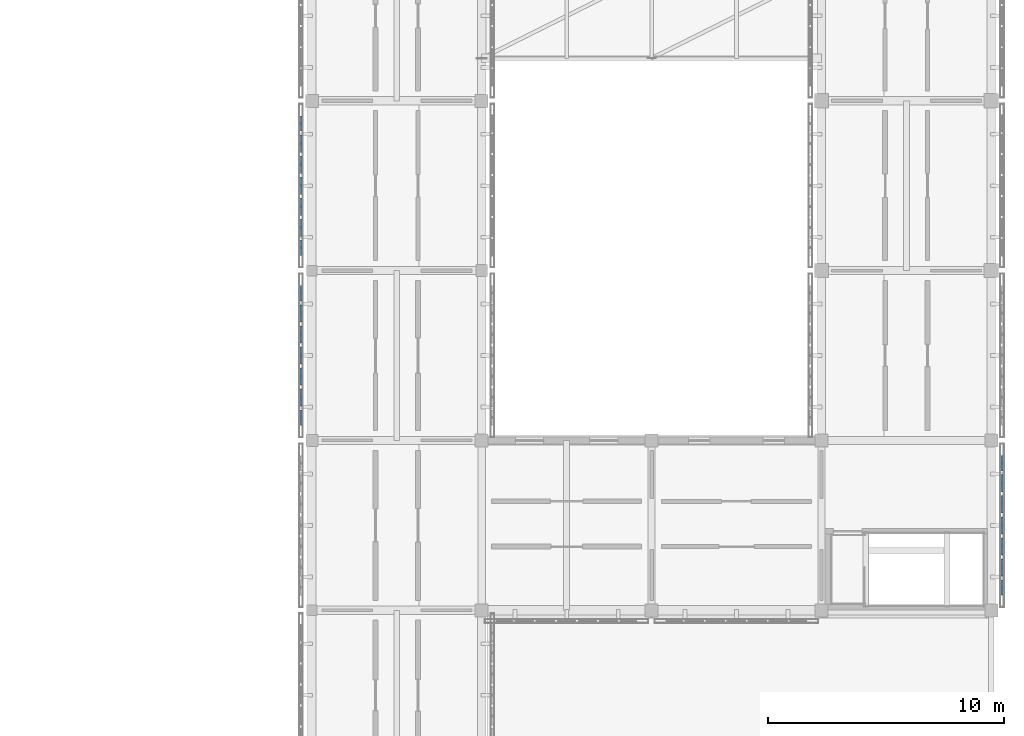
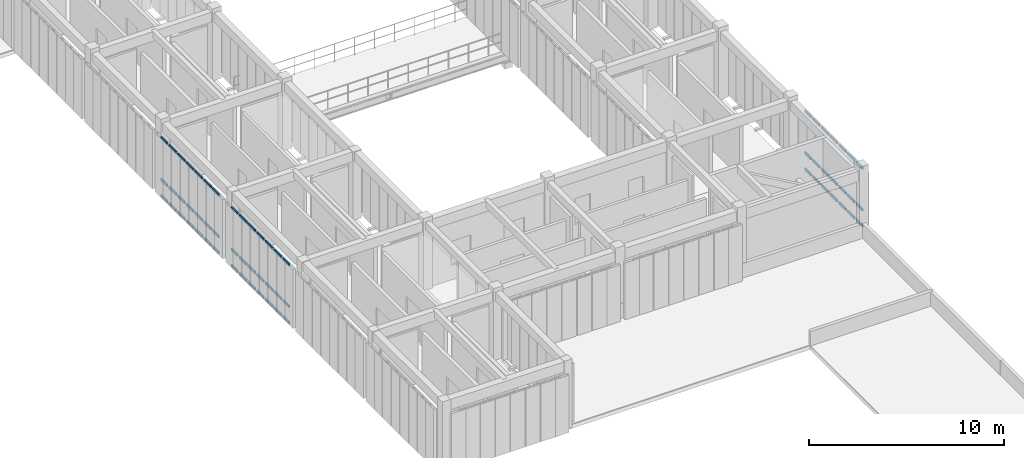
# One storey, part 34 of 91: 63 members, 3 elements without a shape of their own.
"""IFC4 building model written with IfcOpenShell, lengths in metres."""

from ifc_helpers import new_model, si_unit, direction, frame, origin, origin_2d, place, context, subcontext, project, spatial, hollow_rectangle, extrude, material, material_profile, profile_set, type_object, element, aggregate, save


model = new_model("IFC4")

# Units and contexts
model_context = context("Model", 3, precision=1e-05, world=origin(), true_north=direction((0.0, 1.0)))
body_context = subcontext(model_context, "Body", "Model", "MODEL_VIEW")
ifc_project = project(units=[si_unit("LENGTHUNIT", "METRE"), si_unit("AREAUNIT", "SQUARE_METRE"), si_unit("VOLUMEUNIT", "CUBIC_METRE"), si_unit("PLANEANGLEUNIT", "RADIAN"), si_unit("MASSUNIT", "GRAM", prefix="KILO")], contexts=[model_context])

# Site, building, storey
site_placement = place(None, origin())
site = spatial("IfcSite", under=ifc_project, at=site_placement, CompositionType="ELEMENT")
building_placement = place(site_placement, origin())
building = spatial("IfcBuilding", under=site, at=building_placement, Name="Aldebral Square Health Centre", CompositionType="ELEMENT")
storey_placement = place(building_placement, frame((0.0, 0.0, 9.0)))
storey = spatial("IfcBuildingStorey", under=building, at=storey_placement, Name="L02", CompositionType="ELEMENT", Elevation=9.0)

# Curtain wall, members
ifc_material_1 = material(Name="Aluminium and low-E solar glass", Category="aluminium")
curtain_wall_type = type_object("IfcCurtainWallType", Name="CW-FIN-SYS", PredefinedType="USERDEFINED", material=ifc_material_1)
curtain_wall_1_placement = place(storey_placement, origin())
curtain_wall_1 = element("IfcCurtainWall", 1, at=curtain_wall_1_placement, inside=storey, type_object=curtain_wall_type, Name="L02 V5 finned curtain wall L02-V5-19-09-W", ObjectType="SOLAR_CURTAIN_WALL", PredefinedType="USERDEFINED")
ifc_material_2 = material(Name="Anodised aluminium transom", Category="aluminium")
ifc_material_profile = material_profile(ifc_material_2, hollow_rectangle(XDim=0.074951171875, YDim=0.14990234375, WallThickness=0.00390625, at=origin_2d()), Name="CWT 75x150x4")
ifc_profile_set = profile_set([ifc_material_profile], Name="Anodised aluminium transom")
member_type = type_object("IfcMemberType", Name="CWT-STD", PredefinedType="USERDEFINED", material=ifc_profile_set)
member_1_placement = place(storey_placement, frame((136.340087890625, 71.360107421875, 0.03759765625), z_axis=(0.0, -1.0, 0.0), x_axis=(1.0, 0.0, 0.0)))
member_1 = element("IfcMember", 2, at=member_1_placement, type_object=member_type, Name="CW1 transom 1.1", ObjectType="TRANSOM", PredefinedType="USERDEFINED", context=body_context, shape_type="SweptSolid", body=[
    extrude(hollow_rectangle(XDim=0.074951171875, YDim=0.14990234375, WallThickness=0.00390625, at=origin_2d()), origin(), (0.0, 0.0, 1.0), 0.651611328125),
])
member_2_placement = place(storey_placement, frame((136.340087890625, 71.360107421875, 1.050048828125), z_axis=(0.0, -1.0, 0.0), x_axis=(1.0, 0.0, 0.0)))
member_2 = element("IfcMember", 3, at=member_2_placement, type_object=member_type, Name="CW1 transom 1.2", ObjectType="TRANSOM", PredefinedType="USERDEFINED", context=body_context, shape_type="SweptSolid", body=[
    extrude(hollow_rectangle(XDim=0.074951171875, YDim=0.14990234375, WallThickness=0.00390625, at=origin_2d()), origin(), (0.0, 0.0, 1.0), 0.651611328125),
])
member_3_placement = place(storey_placement, frame((136.340087890625, 71.360107421875, 3.652587890625), z_axis=(0.0, -1.0, 0.0), x_axis=(1.0, 0.0, 0.0)))
member_3 = element("IfcMember", 4, at=member_3_placement, type_object=member_type, Name="CW1 transom 1.3", ObjectType="TRANSOM", PredefinedType="USERDEFINED", context=body_context, shape_type="SweptSolid", body=[
    extrude(hollow_rectangle(XDim=0.074951171875, YDim=0.14990234375, WallThickness=0.00390625, at=origin_2d()), origin(), (0.0, 0.0, 1.0), 0.651611328125),
])
member_4_placement = place(storey_placement, frame((136.340087890625, 70.548583984375, 0.03759765625), z_axis=(0.0, -1.0, 0.0), x_axis=(1.0, 0.0, 0.0)))
member_4 = element("IfcMember", 5, at=member_4_placement, type_object=member_type, Name="CW1 transom 2.1", ObjectType="TRANSOM", PredefinedType="USERDEFINED", context=body_context, shape_type="SweptSolid", body=[
    extrude(hollow_rectangle(XDim=0.074951171875, YDim=0.14990234375, WallThickness=0.00390625, at=origin_2d()), origin(), (0.0, 0.0, 1.0), 0.7314453125),
])
member_5_placement = place(storey_placement, frame((136.340087890625, 70.548583984375, 1.050048828125), z_axis=(0.0, -1.0, 0.0), x_axis=(1.0, 0.0, 0.0)))
member_5 = element("IfcMember", 6, at=member_5_placement, type_object=member_type, Name="CW1 transom 2.2", ObjectType="TRANSOM", PredefinedType="USERDEFINED", context=body_context, shape_type="SweptSolid", body=[
    extrude(hollow_rectangle(XDim=0.074951171875, YDim=0.14990234375, WallThickness=0.00390625, at=origin_2d()), origin(), (0.0, 0.0, 1.0), 0.7314453125),
])
member_6_placement = place(storey_placement, frame((136.340087890625, 70.548583984375, 3.652587890625), z_axis=(0.0, -1.0, 0.0), x_axis=(1.0, 0.0, 0.0)))
member_6 = element("IfcMember", 7, at=member_6_placement, type_object=member_type, Name="CW1 transom 2.3", ObjectType="TRANSOM", PredefinedType="USERDEFINED", context=body_context, shape_type="SweptSolid", body=[
    extrude(hollow_rectangle(XDim=0.074951171875, YDim=0.14990234375, WallThickness=0.00390625, at=origin_2d()), origin(), (0.0, 0.0, 1.0), 0.7314453125),
])
member_7_placement = place(storey_placement, frame((136.340087890625, 69.6572265625, 0.03759765625), z_axis=(0.0, -1.0, 0.0), x_axis=(1.0, 0.0, 0.0)))
member_7 = element("IfcMember", 8, at=member_7_placement, type_object=member_type, Name="CW1 transom 3.1", ObjectType="TRANSOM", PredefinedType="USERDEFINED", context=body_context, shape_type="SweptSolid", body=[
    extrude(hollow_rectangle(XDim=0.074951171875, YDim=0.14990234375, WallThickness=0.00390625, at=origin_2d()), origin(), (0.0, 0.0, 1.0), 0.7314453125),
])
member_8_placement = place(storey_placement, frame((136.340087890625, 69.6572265625, 1.050048828125), z_axis=(0.0, -1.0, 0.0), x_axis=(1.0, 0.0, 0.0)))
member_8 = element("IfcMember", 9, at=member_8_placement, type_object=member_type, Name="CW1 transom 3.2", ObjectType="TRANSOM", PredefinedType="USERDEFINED", context=body_context, shape_type="SweptSolid", body=[
    extrude(hollow_rectangle(XDim=0.074951171875, YDim=0.14990234375, WallThickness=0.00390625, at=origin_2d()), origin(), (0.0, 0.0, 1.0), 0.7314453125),
])
member_9_placement = place(storey_placement, frame((136.340087890625, 69.6572265625, 3.652587890625), z_axis=(0.0, -1.0, 0.0), x_axis=(1.0, 0.0, 0.0)))
member_9 = element("IfcMember", 10, at=member_9_placement, type_object=member_type, Name="CW1 transom 3.3", ObjectType="TRANSOM", PredefinedType="USERDEFINED", context=body_context, shape_type="SweptSolid", body=[
    extrude(hollow_rectangle(XDim=0.074951171875, YDim=0.14990234375, WallThickness=0.00390625, at=origin_2d()), origin(), (0.0, 0.0, 1.0), 0.7314453125),
])
member_10_placement = place(storey_placement, frame((136.340087890625, 68.765625, 0.03759765625), z_axis=(0.0, -1.0, 0.0), x_axis=(1.0, 0.0, 0.0)))
member_10 = element("IfcMember", 11, at=member_10_placement, type_object=member_type, Name="CW1 transom 4.1", ObjectType="TRANSOM", PredefinedType="USERDEFINED", context=body_context, shape_type="SweptSolid", body=[
    extrude(hollow_rectangle(XDim=0.074951171875, YDim=0.14990234375, WallThickness=0.00390625, at=origin_2d()), origin(), (0.0, 0.0, 1.0), 0.7314453125),
])
member_11_placement = place(storey_placement, frame((136.340087890625, 68.765625, 1.050048828125), z_axis=(0.0, -1.0, 0.0), x_axis=(1.0, 0.0, 0.0)))
member_11 = element("IfcMember", 12, at=member_11_placement, type_object=member_type, Name="CW1 transom 4.2", ObjectType="TRANSOM", PredefinedType="USERDEFINED", context=body_context, shape_type="SweptSolid", body=[
    extrude(hollow_rectangle(XDim=0.074951171875, YDim=0.14990234375, WallThickness=0.00390625, at=origin_2d()), origin(), (0.0, 0.0, 1.0), 0.7314453125),
])
member_12_placement = place(storey_placement, frame((136.340087890625, 68.765625, 3.652587890625), z_axis=(0.0, -1.0, 0.0), x_axis=(1.0, 0.0, 0.0)))
member_12 = element("IfcMember", 13, at=member_12_placement, type_object=member_type, Name="CW1 transom 4.3", ObjectType="TRANSOM", PredefinedType="USERDEFINED", context=body_context, shape_type="SweptSolid", body=[
    extrude(hollow_rectangle(XDim=0.074951171875, YDim=0.14990234375, WallThickness=0.00390625, at=origin_2d()), origin(), (0.0, 0.0, 1.0), 0.7314453125),
])
member_13_placement = place(storey_placement, frame((136.340087890625, 67.874267578125, 0.03759765625), z_axis=(0.0, -1.0, 0.0), x_axis=(1.0, 0.0, 0.0)))
member_13 = element("IfcMember", 14, at=member_13_placement, type_object=member_type, Name="CW1 transom 5.1", ObjectType="TRANSOM", PredefinedType="USERDEFINED", context=body_context, shape_type="SweptSolid", body=[
    extrude(hollow_rectangle(XDim=0.074951171875, YDim=0.14990234375, WallThickness=0.00390625, at=origin_2d()), origin(), (0.0, 0.0, 1.0), 0.7314453125),
])
member_14_placement = place(storey_placement, frame((136.340087890625, 67.874267578125, 1.050048828125), z_axis=(0.0, -1.0, 0.0), x_axis=(1.0, 0.0, 0.0)))
member_14 = element("IfcMember", 15, at=member_14_placement, type_object=member_type, Name="CW1 transom 5.2", ObjectType="TRANSOM", PredefinedType="USERDEFINED", context=body_context, shape_type="SweptSolid", body=[
    extrude(hollow_rectangle(XDim=0.074951171875, YDim=0.14990234375, WallThickness=0.00390625, at=origin_2d()), origin(), (0.0, 0.0, 1.0), 0.7314453125),
])
member_15_placement = place(storey_placement, frame((136.340087890625, 67.874267578125, 3.652587890625), z_axis=(0.0, -1.0, 0.0), x_axis=(1.0, 0.0, 0.0)))
member_15 = element("IfcMember", 16, at=member_15_placement, type_object=member_type, Name="CW1 transom 5.3", ObjectType="TRANSOM", PredefinedType="USERDEFINED", context=body_context, shape_type="SweptSolid", body=[
    extrude(hollow_rectangle(XDim=0.074951171875, YDim=0.14990234375, WallThickness=0.00390625, at=origin_2d()), origin(), (0.0, 0.0, 1.0), 0.7314453125),
])
member_16_placement = place(storey_placement, frame((136.340087890625, 66.98291015625, 0.03759765625), z_axis=(0.0, -1.0, 0.0), x_axis=(1.0, 0.0, 0.0)))
member_16 = element("IfcMember", 17, at=member_16_placement, type_object=member_type, Name="CW1 transom 6.1", ObjectType="TRANSOM", PredefinedType="USERDEFINED", context=body_context, shape_type="SweptSolid", body=[
    extrude(hollow_rectangle(XDim=0.074951171875, YDim=0.14990234375, WallThickness=0.00390625, at=origin_2d()), origin(), (0.0, 0.0, 1.0), 0.7314453125),
])
member_17_placement = place(storey_placement, frame((136.340087890625, 66.98291015625, 1.050048828125), z_axis=(0.0, -1.0, 0.0), x_axis=(1.0, 0.0, 0.0)))
member_17 = element("IfcMember", 18, at=member_17_placement, type_object=member_type, Name="CW1 transom 6.2", ObjectType="TRANSOM", PredefinedType="USERDEFINED", context=body_context, shape_type="SweptSolid", body=[
    extrude(hollow_rectangle(XDim=0.074951171875, YDim=0.14990234375, WallThickness=0.00390625, at=origin_2d()), origin(), (0.0, 0.0, 1.0), 0.7314453125),
])
member_18_placement = place(storey_placement, frame((136.340087890625, 66.98291015625, 3.652587890625), z_axis=(0.0, -1.0, 0.0), x_axis=(1.0, 0.0, 0.0)))
member_18 = element("IfcMember", 19, at=member_18_placement, type_object=member_type, Name="CW1 transom 6.3", ObjectType="TRANSOM", PredefinedType="USERDEFINED", context=body_context, shape_type="SweptSolid", body=[
    extrude(hollow_rectangle(XDim=0.074951171875, YDim=0.14990234375, WallThickness=0.00390625, at=origin_2d()), origin(), (0.0, 0.0, 1.0), 0.7314453125),
])
member_19_placement = place(storey_placement, frame((136.340087890625, 66.09130859375, 0.03759765625), z_axis=(0.0, -1.0, 0.0), x_axis=(1.0, 0.0, 0.0)))
member_19 = element("IfcMember", 20, at=member_19_placement, type_object=member_type, Name="CW1 transom 7.1", ObjectType="TRANSOM", PredefinedType="USERDEFINED", context=body_context, shape_type="SweptSolid", body=[
    extrude(hollow_rectangle(XDim=0.074951171875, YDim=0.14990234375, WallThickness=0.00390625, at=origin_2d()), origin(), (0.0, 0.0, 1.0), 0.6513671875),
])
member_20_placement = place(storey_placement, frame((136.340087890625, 66.09130859375, 1.050048828125), z_axis=(0.0, -1.0, 0.0), x_axis=(1.0, 0.0, 0.0)))
member_20 = element("IfcMember", 21, at=member_20_placement, type_object=member_type, Name="CW1 transom 7.2", ObjectType="TRANSOM", PredefinedType="USERDEFINED", context=body_context, shape_type="SweptSolid", body=[
    extrude(hollow_rectangle(XDim=0.074951171875, YDim=0.14990234375, WallThickness=0.00390625, at=origin_2d()), origin(), (0.0, 0.0, 1.0), 0.6513671875),
])
member_21_placement = place(storey_placement, frame((136.340087890625, 66.09130859375, 3.652587890625), z_axis=(0.0, -1.0, 0.0), x_axis=(1.0, 0.0, 0.0)))
member_21 = element("IfcMember", 22, at=member_21_placement, type_object=member_type, Name="CW1 transom 7.3", ObjectType="TRANSOM", PredefinedType="USERDEFINED", context=body_context, shape_type="SweptSolid", body=[
    extrude(hollow_rectangle(XDim=0.074951171875, YDim=0.14990234375, WallThickness=0.00390625, at=origin_2d()), origin(), (0.0, 0.0, 1.0), 0.6513671875),
])
aggregate(curtain_wall_1, [member_1, member_2, member_3, member_4, member_5, member_6, member_7, member_8, member_9, member_10, member_11, member_12, member_13, member_14, member_15, member_16, member_17, member_18, member_19, member_20, member_21])

curtain_wall_2_placement = place(storey_placement, origin())
curtain_wall_2 = element("IfcCurtainWall", 23, at=curtain_wall_2_placement, inside=storey, type_object=curtain_wall_type, Name="L02 V5 finned curtain wall L02-V5-19-10-W", ObjectType="SOLAR_CURTAIN_WALL", PredefinedType="USERDEFINED")
member_22_placement = place(storey_placement, frame((136.340087890625, 78.56005859375, 0.03759765625), z_axis=(0.0, -1.0, 0.0), x_axis=(1.0, 0.0, 0.0)))
member_22 = element("IfcMember", 24, at=member_22_placement, type_object=member_type, Name="CW1 transom 1.1", ObjectType="TRANSOM", PredefinedType="USERDEFINED", context=body_context, shape_type="SweptSolid", body=[
    extrude(hollow_rectangle(XDim=0.074951171875, YDim=0.14990234375, WallThickness=0.00390625, at=origin_2d()), origin(), (0.0, 0.0, 1.0), 0.6513671875),
])
member_23_placement = place(storey_placement, frame((136.340087890625, 78.56005859375, 1.050048828125), z_axis=(0.0, -1.0, 0.0), x_axis=(1.0, 0.0, 0.0)))
member_23 = element("IfcMember", 25, at=member_23_placement, type_object=member_type, Name="CW1 transom 1.2", ObjectType="TRANSOM", PredefinedType="USERDEFINED", context=body_context, shape_type="SweptSolid", body=[
    extrude(hollow_rectangle(XDim=0.074951171875, YDim=0.14990234375, WallThickness=0.00390625, at=origin_2d()), origin(), (0.0, 0.0, 1.0), 0.6513671875),
])
member_24_placement = place(storey_placement, frame((136.340087890625, 78.56005859375, 3.652587890625), z_axis=(0.0, -1.0, 0.0), x_axis=(1.0, 0.0, 0.0)))
member_24 = element("IfcMember", 26, at=member_24_placement, type_object=member_type, Name="CW1 transom 1.3", ObjectType="TRANSOM", PredefinedType="USERDEFINED", context=body_context, shape_type="SweptSolid", body=[
    extrude(hollow_rectangle(XDim=0.074951171875, YDim=0.14990234375, WallThickness=0.00390625, at=origin_2d()), origin(), (0.0, 0.0, 1.0), 0.6513671875),
])
member_25_placement = place(storey_placement, frame((136.340087890625, 77.74853515625, 0.03759765625), z_axis=(0.0, -1.0, 0.0), x_axis=(1.0, 0.0, 0.0)))
member_25 = element("IfcMember", 27, at=member_25_placement, type_object=member_type, Name="CW1 transom 2.1", ObjectType="TRANSOM", PredefinedType="USERDEFINED", context=body_context, shape_type="SweptSolid", body=[
    extrude(hollow_rectangle(XDim=0.074951171875, YDim=0.14990234375, WallThickness=0.00390625, at=origin_2d()), origin(), (0.0, 0.0, 1.0), 0.7314453125),
])
member_26_placement = place(storey_placement, frame((136.340087890625, 77.74853515625, 1.050048828125), z_axis=(0.0, -1.0, 0.0), x_axis=(1.0, 0.0, 0.0)))
member_26 = element("IfcMember", 28, at=member_26_placement, type_object=member_type, Name="CW1 transom 2.2", ObjectType="TRANSOM", PredefinedType="USERDEFINED", context=body_context, shape_type="SweptSolid", body=[
    extrude(hollow_rectangle(XDim=0.074951171875, YDim=0.14990234375, WallThickness=0.00390625, at=origin_2d()), origin(), (0.0, 0.0, 1.0), 0.7314453125),
])
member_27_placement = place(storey_placement, frame((136.340087890625, 77.74853515625, 3.652587890625), z_axis=(0.0, -1.0, 0.0), x_axis=(1.0, 0.0, 0.0)))
member_27 = element("IfcMember", 29, at=member_27_placement, type_object=member_type, Name="CW1 transom 2.3", ObjectType="TRANSOM", PredefinedType="USERDEFINED", context=body_context, shape_type="SweptSolid", body=[
    extrude(hollow_rectangle(XDim=0.074951171875, YDim=0.14990234375, WallThickness=0.00390625, at=origin_2d()), origin(), (0.0, 0.0, 1.0), 0.7314453125),
])
member_28_placement = place(storey_placement, frame((136.340087890625, 76.857177734375, 0.03759765625), z_axis=(0.0, -1.0, 0.0), x_axis=(1.0, 0.0, 0.0)))
member_28 = element("IfcMember", 30, at=member_28_placement, type_object=member_type, Name="CW1 transom 3.1", ObjectType="TRANSOM", PredefinedType="USERDEFINED", context=body_context, shape_type="SweptSolid", body=[
    extrude(hollow_rectangle(XDim=0.074951171875, YDim=0.14990234375, WallThickness=0.00390625, at=origin_2d()), origin(), (0.0, 0.0, 1.0), 0.7314453125),
])
member_29_placement = place(storey_placement, frame((136.340087890625, 76.857177734375, 1.050048828125), z_axis=(0.0, -1.0, 0.0), x_axis=(1.0, 0.0, 0.0)))
member_29 = element("IfcMember", 31, at=member_29_placement, type_object=member_type, Name="CW1 transom 3.2", ObjectType="TRANSOM", PredefinedType="USERDEFINED", context=body_context, shape_type="SweptSolid", body=[
    extrude(hollow_rectangle(XDim=0.074951171875, YDim=0.14990234375, WallThickness=0.00390625, at=origin_2d()), origin(), (0.0, 0.0, 1.0), 0.7314453125),
])
member_30_placement = place(storey_placement, frame((136.340087890625, 76.857177734375, 3.652587890625), z_axis=(0.0, -1.0, 0.0), x_axis=(1.0, 0.0, 0.0)))
member_30 = element("IfcMember", 32, at=member_30_placement, type_object=member_type, Name="CW1 transom 3.3", ObjectType="TRANSOM", PredefinedType="USERDEFINED", context=body_context, shape_type="SweptSolid", body=[
    extrude(hollow_rectangle(XDim=0.074951171875, YDim=0.14990234375, WallThickness=0.00390625, at=origin_2d()), origin(), (0.0, 0.0, 1.0), 0.7314453125),
])
member_31_placement = place(storey_placement, frame((136.340087890625, 75.9658203125, 0.03759765625), z_axis=(0.0, -1.0, 0.0), x_axis=(1.0, 0.0, 0.0)))
member_31 = element("IfcMember", 33, at=member_31_placement, type_object=member_type, Name="CW1 transom 4.1", ObjectType="TRANSOM", PredefinedType="USERDEFINED", context=body_context, shape_type="SweptSolid", body=[
    extrude(hollow_rectangle(XDim=0.074951171875, YDim=0.14990234375, WallThickness=0.00390625, at=origin_2d()), origin(), (0.0, 0.0, 1.0), 0.7314453125),
])
member_32_placement = place(storey_placement, frame((136.340087890625, 75.9658203125, 1.050048828125), z_axis=(0.0, -1.0, 0.0), x_axis=(1.0, 0.0, 0.0)))
member_32 = element("IfcMember", 34, at=member_32_placement, type_object=member_type, Name="CW1 transom 4.2", ObjectType="TRANSOM", PredefinedType="USERDEFINED", context=body_context, shape_type="SweptSolid", body=[
    extrude(hollow_rectangle(XDim=0.074951171875, YDim=0.14990234375, WallThickness=0.00390625, at=origin_2d()), origin(), (0.0, 0.0, 1.0), 0.7314453125),
])
member_33_placement = place(storey_placement, frame((136.340087890625, 75.9658203125, 3.652587890625), z_axis=(0.0, -1.0, 0.0), x_axis=(1.0, 0.0, 0.0)))
member_33 = element("IfcMember", 35, at=member_33_placement, type_object=member_type, Name="CW1 transom 4.3", ObjectType="TRANSOM", PredefinedType="USERDEFINED", context=body_context, shape_type="SweptSolid", body=[
    extrude(hollow_rectangle(XDim=0.074951171875, YDim=0.14990234375, WallThickness=0.00390625, at=origin_2d()), origin(), (0.0, 0.0, 1.0), 0.7314453125),
])
member_34_placement = place(storey_placement, frame((136.340087890625, 75.07421875, 0.03759765625), z_axis=(0.0, -1.0, 0.0), x_axis=(1.0, 0.0, 0.0)))
member_34 = element("IfcMember", 36, at=member_34_placement, type_object=member_type, Name="CW1 transom 5.1", ObjectType="TRANSOM", PredefinedType="USERDEFINED", context=body_context, shape_type="SweptSolid", body=[
    extrude(hollow_rectangle(XDim=0.074951171875, YDim=0.14990234375, WallThickness=0.00390625, at=origin_2d()), origin(), (0.0, 0.0, 1.0), 0.7314453125),
])
member_35_placement = place(storey_placement, frame((136.340087890625, 75.07421875, 1.050048828125), z_axis=(0.0, -1.0, 0.0), x_axis=(1.0, 0.0, 0.0)))
member_35 = element("IfcMember", 37, at=member_35_placement, type_object=member_type, Name="CW1 transom 5.2", ObjectType="TRANSOM", PredefinedType="USERDEFINED", context=body_context, shape_type="SweptSolid", body=[
    extrude(hollow_rectangle(XDim=0.074951171875, YDim=0.14990234375, WallThickness=0.00390625, at=origin_2d()), origin(), (0.0, 0.0, 1.0), 0.7314453125),
])
member_36_placement = place(storey_placement, frame((136.340087890625, 75.07421875, 3.652587890625), z_axis=(0.0, -1.0, 0.0), x_axis=(1.0, 0.0, 0.0)))
member_36 = element("IfcMember", 38, at=member_36_placement, type_object=member_type, Name="CW1 transom 5.3", ObjectType="TRANSOM", PredefinedType="USERDEFINED", context=body_context, shape_type="SweptSolid", body=[
    extrude(hollow_rectangle(XDim=0.074951171875, YDim=0.14990234375, WallThickness=0.00390625, at=origin_2d()), origin(), (0.0, 0.0, 1.0), 0.7314453125),
])
member_37_placement = place(storey_placement, frame((136.340087890625, 74.182861328125, 0.03759765625), z_axis=(0.0, -1.0, 0.0), x_axis=(1.0, 0.0, 0.0)))
member_37 = element("IfcMember", 39, at=member_37_placement, type_object=member_type, Name="CW1 transom 6.1", ObjectType="TRANSOM", PredefinedType="USERDEFINED", context=body_context, shape_type="SweptSolid", body=[
    extrude(hollow_rectangle(XDim=0.074951171875, YDim=0.14990234375, WallThickness=0.00390625, at=origin_2d()), origin(), (0.0, 0.0, 1.0), 0.7314453125),
])
member_38_placement = place(storey_placement, frame((136.340087890625, 74.182861328125, 1.050048828125), z_axis=(0.0, -1.0, 0.0), x_axis=(1.0, 0.0, 0.0)))
member_38 = element("IfcMember", 40, at=member_38_placement, type_object=member_type, Name="CW1 transom 6.2", ObjectType="TRANSOM", PredefinedType="USERDEFINED", context=body_context, shape_type="SweptSolid", body=[
    extrude(hollow_rectangle(XDim=0.074951171875, YDim=0.14990234375, WallThickness=0.00390625, at=origin_2d()), origin(), (0.0, 0.0, 1.0), 0.7314453125),
])
member_39_placement = place(storey_placement, frame((136.340087890625, 74.182861328125, 3.652587890625), z_axis=(0.0, -1.0, 0.0), x_axis=(1.0, 0.0, 0.0)))
member_39 = element("IfcMember", 41, at=member_39_placement, type_object=member_type, Name="CW1 transom 6.3", ObjectType="TRANSOM", PredefinedType="USERDEFINED", context=body_context, shape_type="SweptSolid", body=[
    extrude(hollow_rectangle(XDim=0.074951171875, YDim=0.14990234375, WallThickness=0.00390625, at=origin_2d()), origin(), (0.0, 0.0, 1.0), 0.7314453125),
])
member_40_placement = place(storey_placement, frame((136.340087890625, 73.29150390625, 0.03759765625), z_axis=(0.0, -1.0, 0.0), x_axis=(1.0, 0.0, 0.0)))
member_40 = element("IfcMember", 42, at=member_40_placement, type_object=member_type, Name="CW1 transom 7.1", ObjectType="TRANSOM", PredefinedType="USERDEFINED", context=body_context, shape_type="SweptSolid", body=[
    extrude(hollow_rectangle(XDim=0.074951171875, YDim=0.14990234375, WallThickness=0.00390625, at=origin_2d()), origin(), (0.0, 0.0, 1.0), 0.651611328125),
])
member_41_placement = place(storey_placement, frame((136.340087890625, 73.29150390625, 1.050048828125), z_axis=(0.0, -1.0, 0.0), x_axis=(1.0, 0.0, 0.0)))
member_41 = element("IfcMember", 43, at=member_41_placement, type_object=member_type, Name="CW1 transom 7.2", ObjectType="TRANSOM", PredefinedType="USERDEFINED", context=body_context, shape_type="SweptSolid", body=[
    extrude(hollow_rectangle(XDim=0.074951171875, YDim=0.14990234375, WallThickness=0.00390625, at=origin_2d()), origin(), (0.0, 0.0, 1.0), 0.651611328125),
])
member_42_placement = place(storey_placement, frame((136.340087890625, 73.29150390625, 3.652587890625), z_axis=(0.0, -1.0, 0.0), x_axis=(1.0, 0.0, 0.0)))
member_42 = element("IfcMember", 44, at=member_42_placement, type_object=member_type, Name="CW1 transom 7.3", ObjectType="TRANSOM", PredefinedType="USERDEFINED", context=body_context, shape_type="SweptSolid", body=[
    extrude(hollow_rectangle(XDim=0.074951171875, YDim=0.14990234375, WallThickness=0.00390625, at=origin_2d()), origin(), (0.0, 0.0, 1.0), 0.651611328125),
])
aggregate(curtain_wall_2, [member_22, member_23, member_24, member_25, member_26, member_27, member_28, member_29, member_30, member_31, member_32, member_33, member_34, member_35, member_36, member_37, member_38, member_39, member_40, member_41, member_42])

curtain_wall_3_placement = place(storey_placement, origin())
curtain_wall_3 = element("IfcCurtainWall", 45, at=curtain_wall_3_placement, inside=storey, type_object=curtain_wall_type, Name="L02 V5 finned curtain wall L02-V5-22-08-E", ObjectType="SOLAR_CURTAIN_WALL", PredefinedType="USERDEFINED")
member_43_placement = place(storey_placement, frame((166.06005859375, 58.239990234375, 0.03759765625), z_axis=(0.0, 1.0, 0.0), x_axis=(-1.0, 0.0, 0.0)))
member_43 = element("IfcMember", 46, at=member_43_placement, type_object=member_type, Name="CW1 transom 1.1", ObjectType="TRANSOM", PredefinedType="USERDEFINED", context=body_context, shape_type="SweptSolid", body=[
    extrude(hollow_rectangle(XDim=0.074951171875, YDim=0.14990234375, WallThickness=0.00390625, at=origin_2d()), origin(), (0.0, 0.0, 1.0), 0.6513671875),
])
member_44_placement = place(storey_placement, frame((166.06005859375, 58.239990234375, 1.050048828125), z_axis=(0.0, 1.0, 0.0), x_axis=(-1.0, 0.0, 0.0)))
member_44 = element("IfcMember", 47, at=member_44_placement, type_object=member_type, Name="CW1 transom 1.2", ObjectType="TRANSOM", PredefinedType="USERDEFINED", context=body_context, shape_type="SweptSolid", body=[
    extrude(hollow_rectangle(XDim=0.074951171875, YDim=0.14990234375, WallThickness=0.00390625, at=origin_2d()), origin(), (0.0, 0.0, 1.0), 0.6513671875),
])
member_45_placement = place(storey_placement, frame((166.06005859375, 58.239990234375, 3.652587890625), z_axis=(0.0, 1.0, 0.0), x_axis=(-1.0, 0.0, 0.0)))
member_45 = element("IfcMember", 48, at=member_45_placement, type_object=member_type, Name="CW1 transom 1.3", ObjectType="TRANSOM", PredefinedType="USERDEFINED", context=body_context, shape_type="SweptSolid", body=[
    extrude(hollow_rectangle(XDim=0.074951171875, YDim=0.14990234375, WallThickness=0.00390625, at=origin_2d()), origin(), (0.0, 0.0, 1.0), 0.6513671875),
])
member_46_placement = place(storey_placement, frame((166.06005859375, 59.051513671875, 0.03759765625), z_axis=(0.0, 1.0, 0.0), x_axis=(-1.0, 0.0, 0.0)))
member_46 = element("IfcMember", 49, at=member_46_placement, type_object=member_type, Name="CW1 transom 2.1", ObjectType="TRANSOM", PredefinedType="USERDEFINED", context=body_context, shape_type="SweptSolid", body=[
    extrude(hollow_rectangle(XDim=0.074951171875, YDim=0.14990234375, WallThickness=0.00390625, at=origin_2d()), origin(), (0.0, 0.0, 1.0), 0.7314453125),
])
member_47_placement = place(storey_placement, frame((166.06005859375, 59.051513671875, 1.050048828125), z_axis=(0.0, 1.0, 0.0), x_axis=(-1.0, 0.0, 0.0)))
member_47 = element("IfcMember", 50, at=member_47_placement, type_object=member_type, Name="CW1 transom 2.2", ObjectType="TRANSOM", PredefinedType="USERDEFINED", context=body_context, shape_type="SweptSolid", body=[
    extrude(hollow_rectangle(XDim=0.074951171875, YDim=0.14990234375, WallThickness=0.00390625, at=origin_2d()), origin(), (0.0, 0.0, 1.0), 0.7314453125),
])
member_48_placement = place(storey_placement, frame((166.06005859375, 59.051513671875, 3.652587890625), z_axis=(0.0, 1.0, 0.0), x_axis=(-1.0, 0.0, 0.0)))
member_48 = element("IfcMember", 51, at=member_48_placement, type_object=member_type, Name="CW1 transom 2.3", ObjectType="TRANSOM", PredefinedType="USERDEFINED", context=body_context, shape_type="SweptSolid", body=[
    extrude(hollow_rectangle(XDim=0.074951171875, YDim=0.14990234375, WallThickness=0.00390625, at=origin_2d()), origin(), (0.0, 0.0, 1.0), 0.7314453125),
])
member_49_placement = place(storey_placement, frame((166.06005859375, 59.94287109375, 0.03759765625), z_axis=(0.0, 1.0, 0.0), x_axis=(-1.0, 0.0, 0.0)))
member_49 = element("IfcMember", 52, at=member_49_placement, type_object=member_type, Name="CW1 transom 3.1", ObjectType="TRANSOM", PredefinedType="USERDEFINED", context=body_context, shape_type="SweptSolid", body=[
    extrude(hollow_rectangle(XDim=0.074951171875, YDim=0.14990234375, WallThickness=0.00390625, at=origin_2d()), origin(), (0.0, 0.0, 1.0), 0.7314453125),
])
member_50_placement = place(storey_placement, frame((166.06005859375, 59.94287109375, 1.050048828125), z_axis=(0.0, 1.0, 0.0), x_axis=(-1.0, 0.0, 0.0)))
member_50 = element("IfcMember", 53, at=member_50_placement, type_object=member_type, Name="CW1 transom 3.2", ObjectType="TRANSOM", PredefinedType="USERDEFINED", context=body_context, shape_type="SweptSolid", body=[
    extrude(hollow_rectangle(XDim=0.074951171875, YDim=0.14990234375, WallThickness=0.00390625, at=origin_2d()), origin(), (0.0, 0.0, 1.0), 0.7314453125),
])
member_51_placement = place(storey_placement, frame((166.06005859375, 59.94287109375, 3.652587890625), z_axis=(0.0, 1.0, 0.0), x_axis=(-1.0, 0.0, 0.0)))
member_51 = element("IfcMember", 54, at=member_51_placement, type_object=member_type, Name="CW1 transom 3.3", ObjectType="TRANSOM", PredefinedType="USERDEFINED", context=body_context, shape_type="SweptSolid", body=[
    extrude(hollow_rectangle(XDim=0.074951171875, YDim=0.14990234375, WallThickness=0.00390625, at=origin_2d()), origin(), (0.0, 0.0, 1.0), 0.7314453125),
])
member_52_placement = place(storey_placement, frame((166.06005859375, 60.834228515625, 0.03759765625), z_axis=(0.0, 1.0, 0.0), x_axis=(-1.0, 0.0, 0.0)))
member_52 = element("IfcMember", 55, at=member_52_placement, type_object=member_type, Name="CW1 transom 4.1", ObjectType="TRANSOM", PredefinedType="USERDEFINED", context=body_context, shape_type="SweptSolid", body=[
    extrude(hollow_rectangle(XDim=0.074951171875, YDim=0.14990234375, WallThickness=0.00390625, at=origin_2d()), origin(), (0.0, 0.0, 1.0), 0.7314453125),
])
member_53_placement = place(storey_placement, frame((166.06005859375, 60.834228515625, 1.050048828125), z_axis=(0.0, 1.0, 0.0), x_axis=(-1.0, 0.0, 0.0)))
member_53 = element("IfcMember", 56, at=member_53_placement, type_object=member_type, Name="CW1 transom 4.2", ObjectType="TRANSOM", PredefinedType="USERDEFINED", context=body_context, shape_type="SweptSolid", body=[
    extrude(hollow_rectangle(XDim=0.074951171875, YDim=0.14990234375, WallThickness=0.00390625, at=origin_2d()), origin(), (0.0, 0.0, 1.0), 0.7314453125),
])
member_54_placement = place(storey_placement, frame((166.06005859375, 60.834228515625, 3.652587890625), z_axis=(0.0, 1.0, 0.0), x_axis=(-1.0, 0.0, 0.0)))
member_54 = element("IfcMember", 57, at=member_54_placement, type_object=member_type, Name="CW1 transom 4.3", ObjectType="TRANSOM", PredefinedType="USERDEFINED", context=body_context, shape_type="SweptSolid", body=[
    extrude(hollow_rectangle(XDim=0.074951171875, YDim=0.14990234375, WallThickness=0.00390625, at=origin_2d()), origin(), (0.0, 0.0, 1.0), 0.7314453125),
])
member_55_placement = place(storey_placement, frame((166.06005859375, 61.725830078125, 0.03759765625), z_axis=(0.0, 1.0, 0.0), x_axis=(-1.0, 0.0, 0.0)))
member_55 = element("IfcMember", 58, at=member_55_placement, type_object=member_type, Name="CW1 transom 5.1", ObjectType="TRANSOM", PredefinedType="USERDEFINED", context=body_context, shape_type="SweptSolid", body=[
    extrude(hollow_rectangle(XDim=0.074951171875, YDim=0.14990234375, WallThickness=0.00390625, at=origin_2d()), origin(), (0.0, 0.0, 1.0), 0.731201171875),
])
member_56_placement = place(storey_placement, frame((166.06005859375, 61.725830078125, 1.050048828125), z_axis=(0.0, 1.0, 0.0), x_axis=(-1.0, 0.0, 0.0)))
member_56 = element("IfcMember", 59, at=member_56_placement, type_object=member_type, Name="CW1 transom 5.2", ObjectType="TRANSOM", PredefinedType="USERDEFINED", context=body_context, shape_type="SweptSolid", body=[
    extrude(hollow_rectangle(XDim=0.074951171875, YDim=0.14990234375, WallThickness=0.00390625, at=origin_2d()), origin(), (0.0, 0.0, 1.0), 0.731201171875),
])
member_57_placement = place(storey_placement, frame((166.06005859375, 61.725830078125, 3.652587890625), z_axis=(0.0, 1.0, 0.0), x_axis=(-1.0, 0.0, 0.0)))
member_57 = element("IfcMember", 60, at=member_57_placement, type_object=member_type, Name="CW1 transom 5.3", ObjectType="TRANSOM", PredefinedType="USERDEFINED", context=body_context, shape_type="SweptSolid", body=[
    extrude(hollow_rectangle(XDim=0.074951171875, YDim=0.14990234375, WallThickness=0.00390625, at=origin_2d()), origin(), (0.0, 0.0, 1.0), 0.731201171875),
])
member_58_placement = place(storey_placement, frame((166.06005859375, 62.6171875, 0.03759765625), z_axis=(0.0, 1.0, 0.0), x_axis=(-1.0, 0.0, 0.0)))
member_58 = element("IfcMember", 61, at=member_58_placement, type_object=member_type, Name="CW1 transom 6.1", ObjectType="TRANSOM", PredefinedType="USERDEFINED", context=body_context, shape_type="SweptSolid", body=[
    extrude(hollow_rectangle(XDim=0.074951171875, YDim=0.14990234375, WallThickness=0.00390625, at=origin_2d()), origin(), (0.0, 0.0, 1.0), 0.7314453125),
])
member_59_placement = place(storey_placement, frame((166.06005859375, 62.6171875, 1.050048828125), z_axis=(0.0, 1.0, 0.0), x_axis=(-1.0, 0.0, 0.0)))
member_59 = element("IfcMember", 62, at=member_59_placement, type_object=member_type, Name="CW1 transom 6.2", ObjectType="TRANSOM", PredefinedType="USERDEFINED", context=body_context, shape_type="SweptSolid", body=[
    extrude(hollow_rectangle(XDim=0.074951171875, YDim=0.14990234375, WallThickness=0.00390625, at=origin_2d()), origin(), (0.0, 0.0, 1.0), 0.7314453125),
])
member_60_placement = place(storey_placement, frame((166.06005859375, 62.6171875, 3.652587890625), z_axis=(0.0, 1.0, 0.0), x_axis=(-1.0, 0.0, 0.0)))
member_60 = element("IfcMember", 63, at=member_60_placement, type_object=member_type, Name="CW1 transom 6.3", ObjectType="TRANSOM", PredefinedType="USERDEFINED", context=body_context, shape_type="SweptSolid", body=[
    extrude(hollow_rectangle(XDim=0.074951171875, YDim=0.14990234375, WallThickness=0.00390625, at=origin_2d()), origin(), (0.0, 0.0, 1.0), 0.7314453125),
])
member_61_placement = place(storey_placement, frame((166.06005859375, 63.508544921875, 0.03759765625), z_axis=(0.0, 1.0, 0.0), x_axis=(-1.0, 0.0, 0.0)))
member_61 = element("IfcMember", 64, at=member_61_placement, type_object=member_type, Name="CW1 transom 7.1", ObjectType="TRANSOM", PredefinedType="USERDEFINED", context=body_context, shape_type="SweptSolid", body=[
    extrude(hollow_rectangle(XDim=0.074951171875, YDim=0.14990234375, WallThickness=0.00390625, at=origin_2d()), origin(), (0.0, 0.0, 1.0), 0.6513671875),
])
member_62_placement = place(storey_placement, frame((166.06005859375, 63.508544921875, 1.050048828125), z_axis=(0.0, 1.0, 0.0), x_axis=(-1.0, 0.0, 0.0)))
member_62 = element("IfcMember", 65, at=member_62_placement, type_object=member_type, Name="CW1 transom 7.2", ObjectType="TRANSOM", PredefinedType="USERDEFINED", context=body_context, shape_type="SweptSolid", body=[
    extrude(hollow_rectangle(XDim=0.074951171875, YDim=0.14990234375, WallThickness=0.00390625, at=origin_2d()), origin(), (0.0, 0.0, 1.0), 0.6513671875),
])
member_63_placement = place(storey_placement, frame((166.06005859375, 63.508544921875, 3.652587890625), z_axis=(0.0, 1.0, 0.0), x_axis=(-1.0, 0.0, 0.0)))
member_63 = element("IfcMember", 66, at=member_63_placement, type_object=member_type, Name="CW1 transom 7.3", ObjectType="TRANSOM", PredefinedType="USERDEFINED", context=body_context, shape_type="SweptSolid", body=[
    extrude(hollow_rectangle(XDim=0.074951171875, YDim=0.14990234375, WallThickness=0.00390625, at=origin_2d()), origin(), (0.0, 0.0, 1.0), 0.6513671875),
])
aggregate(curtain_wall_3, [member_43, member_44, member_45, member_46, member_47, member_48, member_49, member_50, member_51, member_52, member_53, member_54, member_55, member_56, member_57, member_58, member_59, member_60, member_61, member_62, member_63])

save(model, "model.ifc")
